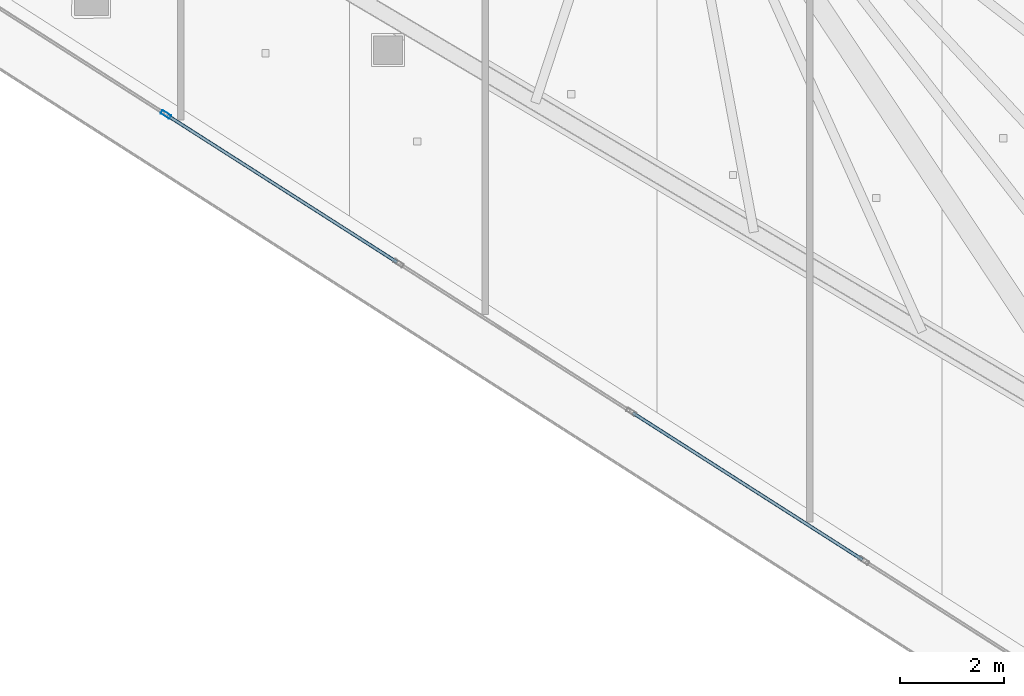
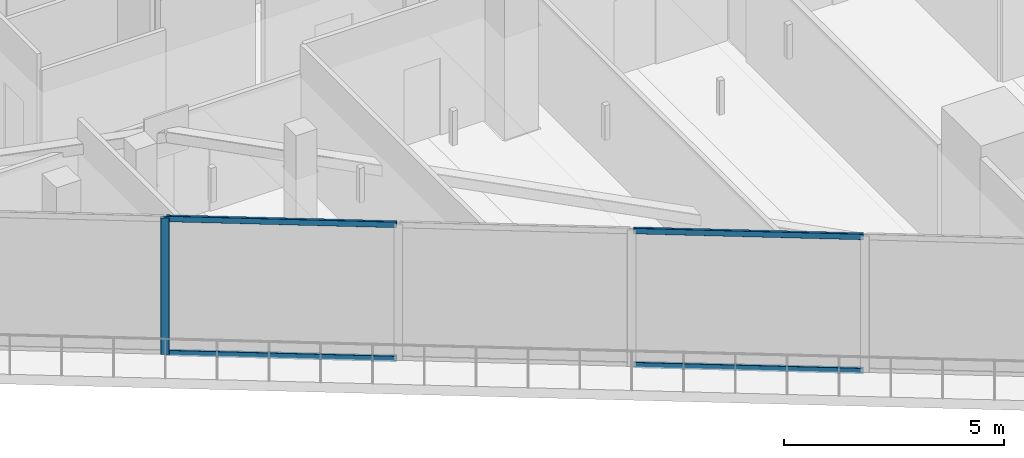
# One storey, part 3 of 40: 5 members, 1 element without a shape of its own.
"""IFC4 building model written with IfcOpenShell, lengths in metres."""

from ifc_helpers import new_model, si_unit, direction, frame, origin, origin_2d, place, context, subcontext, project, spatial, hollow_rectangle, extrude, material, layer, layer_set, material_profile, profile_set, type_object, element, aggregate, save


model = new_model("IFC4")

# Units and contexts
model_context = context("Model", 3, precision=1e-05, world=origin(), true_north=direction((0.0, 1.0)))
body_context = subcontext(model_context, "Body", "Model", "MODEL_VIEW")
ifc_project = project(units=[si_unit("LENGTHUNIT", "METRE"), si_unit("AREAUNIT", "SQUARE_METRE"), si_unit("VOLUMEUNIT", "CUBIC_METRE"), si_unit("PLANEANGLEUNIT", "RADIAN"), si_unit("MASSUNIT", "GRAM", prefix="KILO")], contexts=[model_context])

# Site, building, storey
site_placement = place(None, origin())
site = spatial("IfcSite", under=ifc_project, at=site_placement, CompositionType="ELEMENT")
building_placement = place(site_placement, origin())
building = spatial("IfcBuilding", under=site, at=building_placement, Name="Qorvath Tower", CompositionType="ELEMENT")
storey_placement = place(building_placement, frame((0.0, 0.0, 225.300048828125)))
storey = spatial("IfcBuildingStorey", under=building, at=storey_placement, Name="L52", CompositionType="ELEMENT", Elevation=225.300048828125)

# Curtain wall, members
ifc_material_1 = material(Name="Anodised aluminium and triple low-E glass", Category="aluminium")
ifc_layer = layer(ifc_material_1, 0.179931640625)
ifc_layer_set = layer_set([ifc_layer], Name="CW-SYS-5")
curtain_wall_type = type_object("IfcCurtainWallType", Name="CW-SYS-5", PredefinedType="NOTDEFINED", material=ifc_layer_set)
curtain_wall_placement = place(storey_placement, origin())
curtain_wall = element("IfcCurtainWall", 1, at=curtain_wall_placement, inside=storey, type_object=curtain_wall_type, Name="Curtain Wall CW-5 CW-T-L52-4.1", PredefinedType="NOTDEFINED")
ifc_material_2 = material(Name="Anodised aluminium 6063-T6", Category="aluminium")
ifc_material_profile_1 = material_profile(ifc_material_2, hollow_rectangle(XDim=0.074951171875, YDim=0.199951171875, WallThickness=0.00390625, InnerFilletRadius=0.00390625, OuterFilletRadius=0.008056640625, at=origin_2d()), Name="CWM 200x75")
ifc_profile_set_1 = profile_set([ifc_material_profile_1], Name="Anodised aluminium 6063-T6")
member_type_1 = type_object("IfcMemberType", Name="CWM-200", PredefinedType="MULLION", material=ifc_profile_set_1)
member_1_placement = place(storey_placement, frame((-34.93896484375, -15.357666015625, 0.0), z_axis=(0.0, 0.0, 1.0), x_axis=(0.538529366974, 0.84260674155, 0.0)))
member_1 = element("IfcMember", 2, at=member_1_placement, type_object=member_type_1, Name="CW-5 mullion 4", PredefinedType="MULLION", context=body_context, shape_type="SweptSolid", body=[
    extrude(hollow_rectangle(XDim=0.074951171875, YDim=0.199951171875, WallThickness=0.00390625, InnerFilletRadius=0.00390625, OuterFilletRadius=0.008056640625, at=origin_2d()), origin(), (0.0, 0.0, 1.0), 3.780029296875),
])
ifc_material_3 = material(Name="Anodised aluminium 6063-T6", Category="aluminium")
ifc_material_profile_2 = material_profile(ifc_material_3, hollow_rectangle(XDim=0.06494140625, YDim=0.159912109375, WallThickness=0.00341796875, InnerFilletRadius=0.00341796875, OuterFilletRadius=0.007080078125, at=origin_2d()), Name="CWT 160x65")
ifc_profile_set_2 = profile_set([ifc_material_profile_2], Name="Anodised aluminium 6063-T6")
member_type_2 = type_object("IfcMemberType", Name="CWT-160", PredefinedType="USERDEFINED", material=ifc_profile_set_2)
member_2_placement = place(storey_placement, frame((-34.9072265625, -15.3779296875, 0.032470703125), z_axis=(0.842613218007, -0.538519233491, 0.0), x_axis=(0.538519233491, 0.842613218007, 0.0)))
member_2 = element("IfcMember", 3, at=member_2_placement, type_object=member_type_2, Name="CW-5 transom 4.1", ObjectType="TRANSOM", PredefinedType="USERDEFINED", context=body_context, shape_type="SweptSolid", body=[
    extrude(hollow_rectangle(XDim=0.06494140625, YDim=0.159912109375, WallThickness=0.00341796875, InnerFilletRadius=0.00341796875, OuterFilletRadius=0.007080078125, at=origin_2d()), origin(), (0.0, 0.0, 1.0), 5.224853515625),
])
member_3_placement = place(storey_placement, frame((-34.9072265625, -15.3779296875, 3.74755859375), z_axis=(0.842613218007, -0.538519233491, 0.0), x_axis=(0.538519233491, 0.842613218007, 0.0)))
member_3 = element("IfcMember", 4, at=member_3_placement, type_object=member_type_2, Name="CW-5 transom 4.2", ObjectType="TRANSOM", PredefinedType="USERDEFINED", context=body_context, shape_type="SweptSolid", body=[
    extrude(hollow_rectangle(XDim=0.06494140625, YDim=0.159912109375, WallThickness=0.00341796875, InnerFilletRadius=0.00341796875, OuterFilletRadius=0.007080078125, at=origin_2d()), origin(), (0.0, 0.0, 1.0), 5.224853515625),
])
member_4_placement = place(storey_placement, frame((-25.975341796875, -21.08642578125, 0.032470703125), z_axis=(0.842605566515, -0.538531205482, 0.0), x_axis=(0.538531205482, 0.842605566515, 0.0)))
member_4 = element("IfcMember", 5, at=member_4_placement, type_object=member_type_2, Name="CW-5 transom 6.1", ObjectType="TRANSOM", PredefinedType="USERDEFINED", context=body_context, shape_type="SweptSolid", body=[
    extrude(hollow_rectangle(XDim=0.06494140625, YDim=0.159912109375, WallThickness=0.00341796875, InnerFilletRadius=0.00341796875, OuterFilletRadius=0.007080078125, at=origin_2d()), origin(), (0.0, 0.0, 1.0), 5.225341796875),
])
member_5_placement = place(storey_placement, frame((-25.975341796875, -21.08642578125, 3.74755859375), z_axis=(0.842605566515, -0.538531205482, 0.0), x_axis=(0.538531205482, 0.842605566515, 0.0)))
member_5 = element("IfcMember", 6, at=member_5_placement, type_object=member_type_2, Name="CW-5 transom 6.2", ObjectType="TRANSOM", PredefinedType="USERDEFINED", context=body_context, shape_type="SweptSolid", body=[
    extrude(hollow_rectangle(XDim=0.06494140625, YDim=0.159912109375, WallThickness=0.00341796875, InnerFilletRadius=0.00341796875, OuterFilletRadius=0.007080078125, at=origin_2d()), origin(), (0.0, 0.0, 1.0), 5.225341796875),
])
aggregate(curtain_wall, [member_1, member_2, member_3, member_4, member_5])

save(model, "model.ifc")
